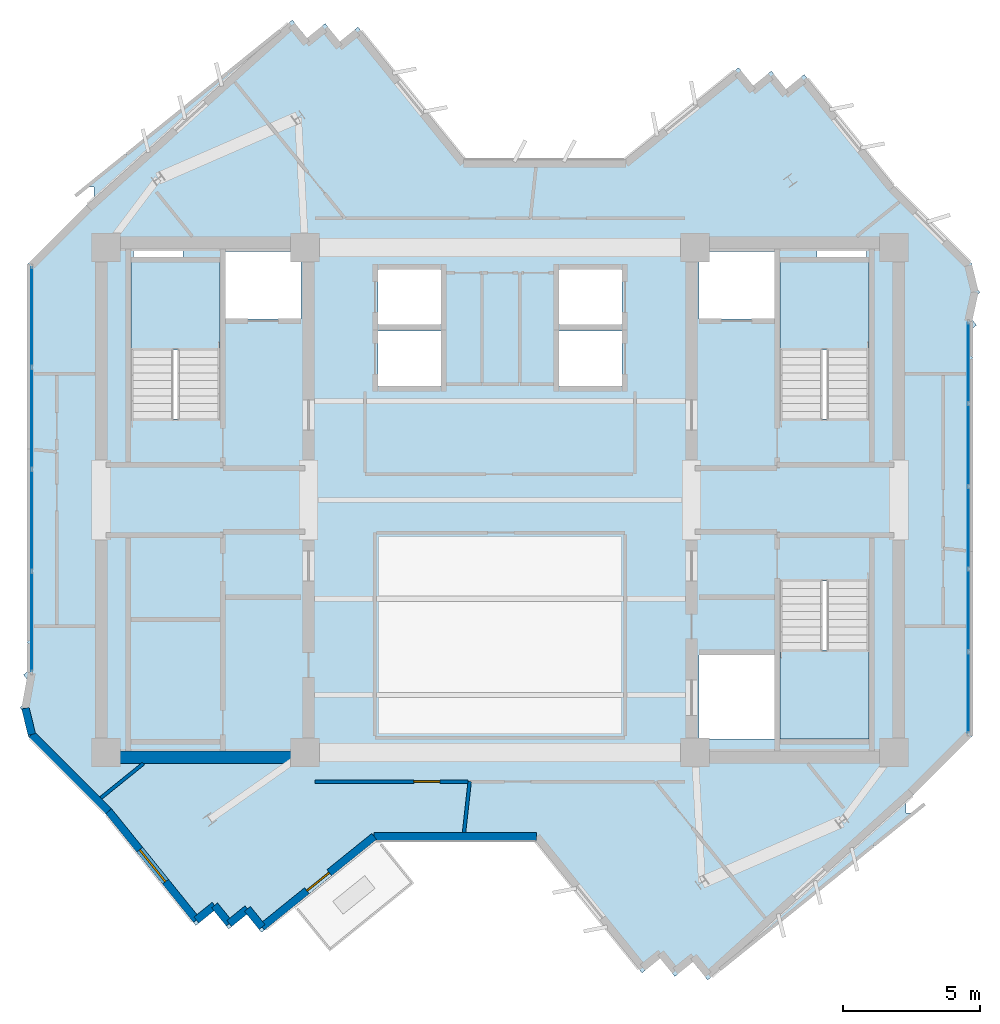
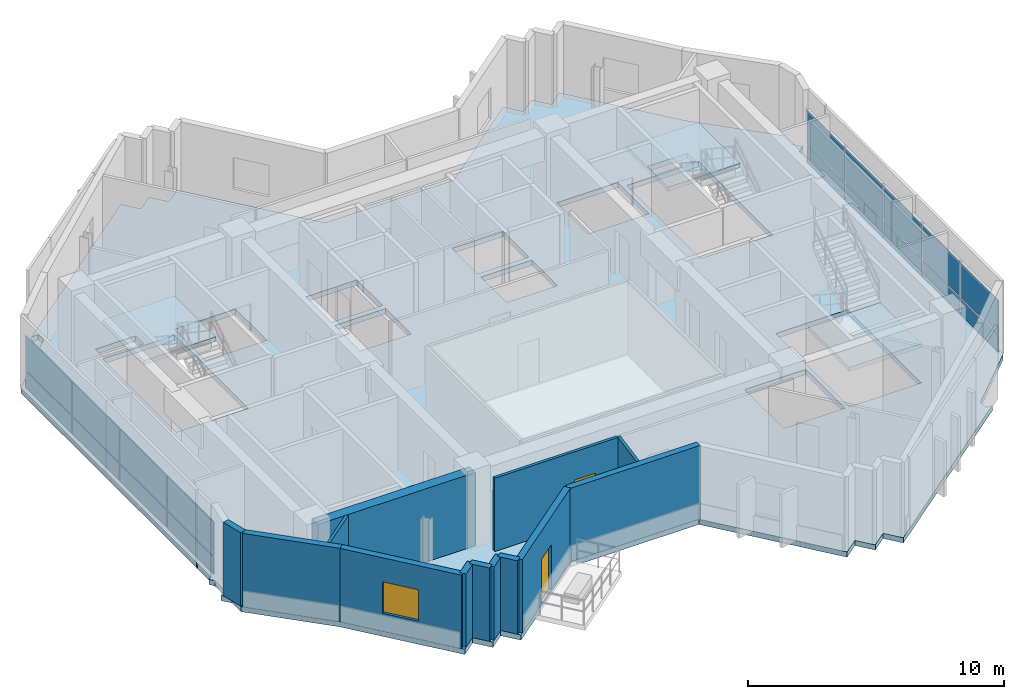
# One storey, part 5 of 11: 18 plates, 13 walls, 4 slabs, 2 doors, 1 window, 3 openings, 5 elements without a shape of their own.
"""IFC4 building model written with IfcOpenShell, lengths in metres."""

from ifc_helpers import new_model, si_unit, direction, frame, frame_2d, origin, origin_2d, place, context, subcontext, project, spatial, polyline, rectangle, outline, extrude, source, transform, mapped, material, layer, layer_set, type_object, element, fill, aggregate, save


model = new_model("IFC4")

# Units and contexts
model_context = context("Model", 3, precision=1e-05, world=origin(), true_north=direction((0.0, 1.0)))
body_context = subcontext(model_context, "Body", "Model", "MODEL_VIEW")
ifc_project = project(units=[si_unit("LENGTHUNIT", "METRE"), si_unit("AREAUNIT", "SQUARE_METRE"), si_unit("VOLUMEUNIT", "CUBIC_METRE"), si_unit("PLANEANGLEUNIT", "RADIAN"), si_unit("MASSUNIT", "GRAM", prefix="KILO")], contexts=[model_context])

# Site, building, storey
site_placement = place(None, origin())
site = spatial("IfcSite", under=ifc_project, at=site_placement, CompositionType="ELEMENT")
building_placement = place(site_placement, origin())
building = spatial("IfcBuilding", under=site, at=building_placement, Name="Zahravan Cultural Tower", CompositionType="ELEMENT")
storey_placement = place(building_placement, frame((0.0, 0.0, 287.85009765625)))
storey = spatial("IfcBuildingStorey", under=building, at=storey_placement, Name="L69", CompositionType="ELEMENT", Elevation=287.85009765625)

# Stair, slab
ifc_material_1 = material(Name="Concrete C45/55", Category="concrete")
stair_type = type_object("IfcStairType", Name="STR-DL-1550-375", PredefinedType="HALF_TURN_STAIR", material=ifc_material_1)
stair_1_placement = place(storey_placement, origin())
stair_1 = element("IfcStair", 1, at=stair_1_placement, inside=storey, type_object=stair_type, Name="L69 West Core North Exit Stair ST-W1", PredefinedType="HALF_TURN_STAIR")
ifc_layer_1 = layer(ifc_material_1, 0.199951171875)
ifc_layer_set_1 = layer_set([ifc_layer_1], Name="Concrete C45/55")
slab_type_1 = type_object("IfcSlabType", Name="SL-STAIR-LND200", PredefinedType="LANDING", material=ifc_layer_set_1)
slab_1_placement = place(storey_placement, frame((0.0, 0.0, 1.6748046875)))
slab_1 = element("IfcSlab", 2, at=slab_1_placement, type_object=slab_type_1, Name="ST-W1 landing 1", PredefinedType="LANDING", context=body_context, shape_type="SweptSolid", body=[
    extrude(outline(polyline([(25.800048828125, 32.469970703125), (25.800048828125, 35.699951171875), (22.550048828125, 35.699951171875), (22.550048828125, 32.469970703125), (25.800048828125, 32.469970703125)])), origin(), (0.0, 0.0, 1.0), 0.2001953125),
])
aggregate(stair_1, [slab_1])

stair_2_placement = place(storey_placement, origin())
stair_2 = element("IfcStair", 3, at=stair_2_placement, inside=storey, type_object=stair_type, Name="L69 East Core North Exit Stair ST-E1", PredefinedType="HALF_TURN_STAIR")
slab_2_placement = place(storey_placement, frame((0.0, 0.0, 1.6748046875)))
slab_2 = element("IfcSlab", 4, at=slab_2_placement, type_object=slab_type_1, Name="ST-E1 landing 1", PredefinedType="LANDING", context=body_context, shape_type="SweptSolid", body=[
    extrude(outline(polyline([(49.449951171875, 32.469970703125), (49.449951171875, 35.699951171875), (46.199951171875, 35.699951171875), (46.199951171875, 32.469970703125), (49.449951171875, 32.469970703125)])), origin(), (0.0, 0.0, 1.0), 0.2001953125),
])
aggregate(stair_2, [slab_2])

stair_3_placement = place(storey_placement, origin())
stair_3 = element("IfcStair", 5, at=stair_3_placement, inside=storey, type_object=stair_type, Name="L69 East Core South Exit Stair ST-E2", PredefinedType="HALF_TURN_STAIR")
slab_3_placement = place(storey_placement, frame((0.0, 0.0, 1.6748046875)))
slab_3 = element("IfcSlab", 6, at=slab_3_placement, type_object=slab_type_1, Name="ST-E2 landing 1", PredefinedType="LANDING", context=body_context, shape_type="SweptSolid", body=[
    extrude(outline(polyline([(46.199951171875, 21.530029296875), (46.199951171875, 18.300048828125), (49.449951171875, 18.300048828125), (49.449951171875, 21.530029296875), (46.199951171875, 21.530029296875)])), origin(), (0.0, 0.0, 1.0), 0.2001953125),
])
aggregate(stair_3, [slab_3])

# Slab
ifc_material_2 = material(Name="Concrete C40/50", Category="concrete")
ifc_layer_2 = layer(ifc_material_2, 0.25)
ifc_layer_set_2 = layer_set([ifc_layer_2], Name="Concrete C40/50")
slab_type_2 = type_object("IfcSlabType", Name="SL-TYP-250", PredefinedType="FLOOR", material=ifc_layer_set_2)
slab_4_placement = place(storey_placement, frame((0.0, 0.0, -0.25)))
element("IfcSlab", 7, at=slab_4_placement, inside=storey, type_object=slab_type_2, Name="L69 Structural Floor Slab", PredefinedType="FLOOR", context=body_context, shape_type="SweptSolid", body=[
    extrude(outline(polyline([(20.892822265625, 38.39990234375), (21.199951171875, 38.39990234375), (21.199951171875, 37.974609375), (20.939697265625, 37.739501953125), (18.800048828125, 35.60009765625), (18.800048828125, 21.852783203125), (18.765869140625, 21.8251953125), (18.800048828125, 21.78271484375), (18.800048828125, 20.76025390625), (18.638427734375, 20.6298828125), (18.800048828125, 20.4296875), (18.800048828125, 19.667724609375), (18.510986328125, 19.4345703125), (18.800048828125, 19.07666015625), (18.800048828125, 18.39990234375), (21.635986328125, 15.56396484375), (24.918701171875, 11.498291015625), (25.579833984375, 12.0322265625), (26.114013671875, 11.370849609375), (26.775146484375, 11.90478515625), (27.30908203125, 11.243408203125), (31.466552734375, 14.60009765625), (37.271728515625, 14.60009765625), (41.1748046875, 9.765869140625), (41.836181640625, 10.2998046875), (42.3701171875, 9.638427734375), (43.031494140625, 10.17236328125), (43.5654296875, 9.510986328125), (51.107177734375, 15.60009765625), (50.800048828125, 15.60009765625), (50.800048828125, 16.025390625), (51.060302734375, 16.260498046875), (53.199951171875, 18.39990234375), (53.199951171875, 32.147216796875), (53.234130859375, 32.1748046875), (53.199951171875, 32.21728515625), (53.199951171875, 33.23974609375), (53.361572265625, 33.3701171875), (53.199951171875, 33.5703125), (53.199951171875, 34.332275390625), (53.489013671875, 34.5654296875), (53.199951171875, 34.92333984375), (53.199951171875, 35.60009765625), (50.364013671875, 38.43603515625), (47.081298828125, 42.501708984375), (46.420166015625, 41.9677734375), (45.885986328125, 42.629150390625), (45.224853515625, 42.09521484375), (44.69091796875, 42.756591796875), (40.533447265625, 39.39990234375), (34.728271484375, 39.39990234375), (30.8251953125, 44.234130859375), (30.163818359375, 43.7001953125), (29.6298828125, 44.361572265625), (28.968505859375, 43.82763671875), (28.4345703125, 44.489013671875), (20.892822265625, 38.39990234375)]), holes=[polyline([(22.550048828125, 29.949951171875), (22.550048828125, 35.699951171875), (25.800048828125, 35.699951171875), (25.800048828125, 29.949951171875), (22.550048828125, 29.949951171875)]), polyline([(46.199951171875, 29.949951171875), (46.199951171875, 35.699951171875), (49.449951171875, 35.699951171875), (49.449951171875, 29.949951171875), (46.199951171875, 29.949951171875)]), polyline([(46.199951171875, 18.300048828125), (46.199951171875, 24.050048828125), (49.449951171875, 24.050048828125), (49.449951171875, 18.300048828125), (46.199951171875, 18.300048828125)]), polyline([(26.0, 33.60009765625), (26.0, 36.050048828125), (28.75, 36.050048828125), (28.75, 33.60009765625), (26.0, 33.60009765625)]), polyline([(43.25, 33.60009765625), (43.25, 36.050048828125), (46.0, 36.050048828125), (46.0, 33.60009765625), (43.25, 33.60009765625)]), polyline([(43.25, 18.300048828125), (43.25, 21.35009765625), (46.0, 21.35009765625), (46.0, 18.300048828125), (43.25, 18.300048828125)]), polyline([(31.550048828125, 33.39990234375), (31.550048828125, 35.39990234375), (33.85009765625, 35.39990234375), (33.85009765625, 33.39990234375), (31.550048828125, 33.39990234375)]), polyline([(31.550048828125, 31.14990234375), (31.550048828125, 33.14990234375), (33.85009765625, 33.14990234375), (33.85009765625, 31.14990234375), (31.550048828125, 31.14990234375)]), polyline([(38.14990234375, 33.39990234375), (38.14990234375, 35.39990234375), (40.449951171875, 35.39990234375), (40.449951171875, 33.39990234375), (38.14990234375, 33.39990234375)]), polyline([(38.14990234375, 31.14990234375), (38.14990234375, 33.14990234375), (40.449951171875, 33.14990234375), (40.449951171875, 31.14990234375), (38.14990234375, 31.14990234375)]), polyline([(22.64990234375, 35.800048828125), (22.64990234375, 36.419921875), (24.449951171875, 36.419921875), (24.449951171875, 35.800048828125), (22.64990234375, 35.800048828125)]), polyline([(47.550048828125, 35.800048828125), (47.550048828125, 36.419921875), (49.35009765625, 36.419921875), (49.35009765625, 35.800048828125), (47.550048828125, 35.800048828125)])]), origin(), (0.0, 0.0, 1.0), 0.25),
])

# Curtain wall, plates
ifc_material_3 = material(Name="Anodised bronze-aluminium mullion", Category="aluminium")
ifc_layer_3 = layer(ifc_material_3, 0.179931640625)
ifc_layer_set_3 = layer_set([ifc_layer_3], Name="Anodised bronze-aluminium mullion")
curtain_wall_type_1 = type_object("IfcCurtainWallType", Name="CW-SYS-3", PredefinedType="USERDEFINED", material=ifc_layer_set_3)
curtain_wall_1_placement = place(storey_placement, origin())
curtain_wall_1 = element("IfcCurtainWall", 8, at=curtain_wall_1_placement, inside=storey, type_object=curtain_wall_type_1, Name="L69 Recessed Curtain Wall CW-3.1", ObjectType="RECESSED GLAZING", PredefinedType="USERDEFINED")
ifc_material_4 = material(Name="Low-E solar-control double glazing", Category="glass")
ifc_layer_4 = layer(ifc_material_4, 0.028076171875)
ifc_layer_set_4 = layer_set([ifc_layer_4], Name="Low-E solar-control double glazing")
plate_type_1 = type_object("IfcPlateType", Name="CWP-CW-3", PredefinedType="CURTAIN_PANEL", material=ifc_layer_set_4)
shared_shape_1 = source(origin(), body_context, "Body", "SweptSolid", [
    extrude(rectangle(XDim=3.607177734375, YDim=0.028076171875, at=origin_2d()), origin(), (0.0, 0.0, 1.0), 0.794921875),
])
plate_1_placement = place(storey_placement, frame((18.93994140625, 22.56689453125, 0.06982421875), z_axis=(0.0, 0.0, 1.0), x_axis=(0.0, 1.0, 0.0)))
plate_1 = element("IfcPlate", 9, at=plate_1_placement, type_object=plate_type_1, Name="CW-3 panel 1.1", PredefinedType="CURTAIN_PANEL", context=body_context, shape_type="MappedRepresentation", body=[
    mapped(shared_shape_1, transform((0.0, 0.0, 0.0), x_axis=(1.0, 0.0, 0.0), y_axis=(0.0, 1.0, 0.0), z_axis=(0.0, 0.0, 1.0), scale=1.0)),
])
plate_2_placement = place(storey_placement, frame((18.93994140625, 33.66845703125, 0.06982421875), z_axis=(0.0, 0.0, 1.0), x_axis=(0.0, 1.0, 0.0)))
plate_2 = element("IfcPlate", 10, at=plate_2_placement, type_object=plate_type_1, Name="CW-3 panel 4.1", PredefinedType="CURTAIN_PANEL", context=body_context, shape_type="MappedRepresentation", body=[
    mapped(shared_shape_1, transform((0.0, 0.0, 0.0), x_axis=(1.0, 0.0, 0.0), y_axis=(0.0, 1.0, 0.0), z_axis=(0.0, 0.0, 1.0), scale=1.0)),
])
shared_shape_2 = source(origin(), body_context, "Body", "SweptSolid", [
    extrude(rectangle(XDim=3.607177734375, YDim=0.028076171875, at=origin_2d()), origin(), (0.0, 0.0, 1.0), 1.614990234375),
])
plate_3_placement = place(storey_placement, frame((18.93994140625, 22.56689453125, 0.93505859375), z_axis=(0.0, 0.0, 1.0), x_axis=(0.0, 1.0, 0.0)))
plate_3 = element("IfcPlate", 11, at=plate_3_placement, type_object=plate_type_1, Name="CW-3 panel 1.2", PredefinedType="CURTAIN_PANEL", context=body_context, shape_type="MappedRepresentation", body=[
    mapped(shared_shape_2, transform((0.0, 0.0, 0.0), x_axis=(1.0, 0.0, 0.0), y_axis=(0.0, 1.0, 0.0), z_axis=(0.0, 0.0, 1.0), scale=1.0)),
])
plate_4_placement = place(storey_placement, frame((18.93994140625, 33.66845703125, 0.93505859375), z_axis=(0.0, 0.0, 1.0), x_axis=(0.0, 1.0, 0.0)))
plate_4 = element("IfcPlate", 12, at=plate_4_placement, type_object=plate_type_1, Name="CW-3 panel 4.2", PredefinedType="CURTAIN_PANEL", context=body_context, shape_type="MappedRepresentation", body=[
    mapped(shared_shape_2, transform((0.0, 0.0, 0.0), x_axis=(1.0, 0.0, 0.0), y_axis=(0.0, 1.0, 0.0), z_axis=(0.0, 0.0, 1.0), scale=1.0)),
])
shared_shape_3 = source(origin(), body_context, "Body", "SweptSolid", [
    extrude(rectangle(XDim=3.64208984375, YDim=0.028076171875, at=origin_2d()), origin(), (0.0, 0.0, 1.0), 0.794921875),
])
plate_5_placement = place(storey_placement, frame((18.93994140625, 26.26171875, 0.06982421875), z_axis=(0.0, 0.0, 1.0), x_axis=(0.0, 1.0, 0.0)))
plate_5 = element("IfcPlate", 13, at=plate_5_placement, type_object=plate_type_1, Name="CW-3 panel 2.1", PredefinedType="CURTAIN_PANEL", context=body_context, shape_type="MappedRepresentation", body=[
    mapped(shared_shape_3, transform((0.0, 0.0, 0.0), x_axis=(1.0, 0.0, 0.0), y_axis=(0.0, 1.0, 0.0), z_axis=(0.0, 0.0, 1.0), scale=1.0)),
])
plate_6_placement = place(storey_placement, frame((18.93994140625, 29.973876953125, 0.06982421875), z_axis=(0.0, 0.0, 1.0), x_axis=(0.0, 1.0, 0.0)))
plate_6 = element("IfcPlate", 14, at=plate_6_placement, type_object=plate_type_1, Name="CW-3 panel 3.1", PredefinedType="CURTAIN_PANEL", context=body_context, shape_type="MappedRepresentation", body=[
    mapped(shared_shape_3, transform((0.0, 0.0, 0.0), x_axis=(1.0, 0.0, 0.0), y_axis=(0.0, 1.0, 0.0), z_axis=(0.0, 0.0, 1.0), scale=1.0)),
])
shared_shape_4 = source(origin(), body_context, "Body", "SweptSolid", [
    extrude(rectangle(XDim=3.64208984375, YDim=0.028076171875, at=origin_2d()), origin(), (0.0, 0.0, 1.0), 1.614990234375),
])
plate_7_placement = place(storey_placement, frame((18.93994140625, 26.26171875, 0.93505859375), z_axis=(0.0, 0.0, 1.0), x_axis=(0.0, 1.0, 0.0)))
plate_7 = element("IfcPlate", 15, at=plate_7_placement, type_object=plate_type_1, Name="CW-3 panel 2.2", PredefinedType="CURTAIN_PANEL", context=body_context, shape_type="MappedRepresentation", body=[
    mapped(shared_shape_4, transform((0.0, 0.0, 0.0), x_axis=(1.0, 0.0, 0.0), y_axis=(0.0, 1.0, 0.0), z_axis=(0.0, 0.0, 1.0), scale=1.0)),
])
plate_8_placement = place(storey_placement, frame((18.93994140625, 29.973876953125, 0.93505859375), z_axis=(0.0, 0.0, 1.0), x_axis=(0.0, 1.0, 0.0)))
plate_8 = element("IfcPlate", 16, at=plate_8_placement, type_object=plate_type_1, Name="CW-3 panel 3.2", PredefinedType="CURTAIN_PANEL", context=body_context, shape_type="MappedRepresentation", body=[
    mapped(shared_shape_4, transform((0.0, 0.0, 0.0), x_axis=(1.0, 0.0, 0.0), y_axis=(0.0, 1.0, 0.0), z_axis=(0.0, 0.0, 1.0), scale=1.0)),
])
aggregate(curtain_wall_1, [plate_1, plate_3, plate_5, plate_7, plate_6, plate_8, plate_2, plate_4])

ifc_layer_5 = layer(ifc_material_3, 0.1650390625)
ifc_layer_set_5 = layer_set([ifc_layer_5], Name="Anodised bronze-aluminium mullion")
curtain_wall_type_2 = type_object("IfcCurtainWallType", Name="CW-SYS-4", PredefinedType="USERDEFINED", material=ifc_layer_set_5)
curtain_wall_2_placement = place(storey_placement, origin())
curtain_wall_2 = element("IfcCurtainWall", 17, at=curtain_wall_2_placement, inside=storey, type_object=curtain_wall_type_2, Name="L69 Recessed Curtain Wall CW-4.2", ObjectType="RECESSED GLAZING", PredefinedType="USERDEFINED")
ifc_layer_6 = layer(ifc_material_4, 0.02587890625)
ifc_layer_set_6 = layer_set([ifc_layer_6], Name="Low-E solar-control double glazing")
plate_type_2 = type_object("IfcPlateType", Name="CWP-CW-4", PredefinedType="CURTAIN_PANEL", material=ifc_layer_set_6)
shared_shape_5 = source(origin(), body_context, "Body", "SweptSolid", [
    extrude(rectangle(XDim=2.9150390625, YDim=0.02587890625, at=origin_2d()), origin(), (0.0, 0.0, 1.0), 0.802490234375),
])
plate_9_placement = place(storey_placement, frame((53.06005859375, 31.998291015625, 0.06494140625), z_axis=(0.0, 0.0, 1.0), x_axis=(0.0, -1.0, 0.0)))
plate_9 = element("IfcPlate", 18, at=plate_9_placement, type_object=plate_type_2, Name="CW-4 panel 1.1", PredefinedType="CURTAIN_PANEL", context=body_context, shape_type="MappedRepresentation", body=[
    mapped(shared_shape_5, transform((0.0, 0.0, 0.0), x_axis=(1.0, 0.0, 0.0), y_axis=(0.0, 1.0, 0.0), z_axis=(0.0, 0.0, 1.0), scale=1.0)),
])
plate_10_placement = place(storey_placement, frame((53.06005859375, 19.98046875, 0.06494140625), z_axis=(0.0, 0.0, 1.0), x_axis=(0.0, -1.0, 0.0)))
plate_10 = element("IfcPlate", 19, at=plate_10_placement, type_object=plate_type_2, Name="CW-4 panel 5.1", PredefinedType="CURTAIN_PANEL", context=body_context, shape_type="MappedRepresentation", body=[
    mapped(shared_shape_5, transform((0.0, 0.0, 0.0), x_axis=(1.0, 0.0, 0.0), y_axis=(0.0, 1.0, 0.0), z_axis=(0.0, 0.0, 1.0), scale=1.0)),
])
shared_shape_6 = source(origin(), body_context, "Body", "SweptSolid", [
    extrude(rectangle(XDim=2.9150390625, YDim=0.02587890625, at=origin_2d()), origin(), (0.0, 0.0, 1.0), 1.62255859375),
])
plate_11_placement = place(storey_placement, frame((53.06005859375, 31.998291015625, 0.932373046875), z_axis=(0.0, 0.0, 1.0), x_axis=(0.0, -1.0, 0.0)))
plate_11 = element("IfcPlate", 20, at=plate_11_placement, type_object=plate_type_2, Name="CW-4 panel 1.2", PredefinedType="CURTAIN_PANEL", context=body_context, shape_type="MappedRepresentation", body=[
    mapped(shared_shape_6, transform((0.0, 0.0, 0.0), x_axis=(1.0, 0.0, 0.0), y_axis=(0.0, 1.0, 0.0), z_axis=(0.0, 0.0, 1.0), scale=1.0)),
])
plate_12_placement = place(storey_placement, frame((53.06005859375, 19.98046875, 0.932373046875), z_axis=(0.0, 0.0, 1.0), x_axis=(0.0, -1.0, 0.0)))
plate_12 = element("IfcPlate", 21, at=plate_12_placement, type_object=plate_type_2, Name="CW-4 panel 5.2", PredefinedType="CURTAIN_PANEL", context=body_context, shape_type="MappedRepresentation", body=[
    mapped(shared_shape_6, transform((0.0, 0.0, 0.0), x_axis=(1.0, 0.0, 0.0), y_axis=(0.0, 1.0, 0.0), z_axis=(0.0, 0.0, 1.0), scale=1.0)),
])
shared_shape_7 = source(origin(), body_context, "Body", "SweptSolid", [
    extrude(rectangle(XDim=2.947509765625, YDim=0.02587890625, at=origin_2d()), origin(), (0.0, 0.0, 1.0), 0.802490234375),
])
plate_13_placement = place(storey_placement, frame((53.06005859375, 29.001953125, 0.06494140625), z_axis=(0.0, 0.0, 1.0), x_axis=(0.0, -1.0, 0.0)))
plate_13 = element("IfcPlate", 22, at=plate_13_placement, type_object=plate_type_2, Name="CW-4 panel 2.1", PredefinedType="CURTAIN_PANEL", context=body_context, shape_type="MappedRepresentation", body=[
    mapped(shared_shape_7, transform((0.0, 0.0, 0.0), x_axis=(1.0, 0.0, 0.0), y_axis=(0.0, 1.0, 0.0), z_axis=(0.0, 0.0, 1.0), scale=1.0)),
])
plate_14_placement = place(storey_placement, frame((53.06005859375, 25.989501953125, 0.06494140625), z_axis=(0.0, 0.0, 1.0), x_axis=(0.0, -1.0, 0.0)))
plate_14 = element("IfcPlate", 23, at=plate_14_placement, type_object=plate_type_2, Name="CW-4 panel 3.1", PredefinedType="CURTAIN_PANEL", context=body_context, shape_type="MappedRepresentation", body=[
    mapped(shared_shape_7, transform((0.0, 0.0, 0.0), x_axis=(1.0, 0.0, 0.0), y_axis=(0.0, 1.0, 0.0), z_axis=(0.0, 0.0, 1.0), scale=1.0)),
])
plate_15_placement = place(storey_placement, frame((53.06005859375, 22.976806640625, 0.06494140625), z_axis=(0.0, 0.0, 1.0), x_axis=(0.0, -1.0, 0.0)))
plate_15 = element("IfcPlate", 24, at=plate_15_placement, type_object=plate_type_2, Name="CW-4 panel 4.1", PredefinedType="CURTAIN_PANEL", context=body_context, shape_type="MappedRepresentation", body=[
    mapped(shared_shape_7, transform((0.0, 0.0, 0.0), x_axis=(1.0, 0.0, 0.0), y_axis=(0.0, 1.0, 0.0), z_axis=(0.0, 0.0, 1.0), scale=1.0)),
])
shared_shape_8 = source(origin(), body_context, "Body", "SweptSolid", [
    extrude(rectangle(XDim=2.947509765625, YDim=0.02587890625, at=origin_2d()), origin(), (0.0, 0.0, 1.0), 1.62255859375),
])
plate_16_placement = place(storey_placement, frame((53.06005859375, 29.001953125, 0.932373046875), z_axis=(0.0, 0.0, 1.0), x_axis=(0.0, -1.0, 0.0)))
plate_16 = element("IfcPlate", 25, at=plate_16_placement, type_object=plate_type_2, Name="CW-4 panel 2.2", PredefinedType="CURTAIN_PANEL", context=body_context, shape_type="MappedRepresentation", body=[
    mapped(shared_shape_8, transform((0.0, 0.0, 0.0), x_axis=(1.0, 0.0, 0.0), y_axis=(0.0, 1.0, 0.0), z_axis=(0.0, 0.0, 1.0), scale=1.0)),
])
plate_17_placement = place(storey_placement, frame((53.06005859375, 25.989501953125, 0.932373046875), z_axis=(0.0, 0.0, 1.0), x_axis=(0.0, -1.0, 0.0)))
plate_17 = element("IfcPlate", 26, at=plate_17_placement, type_object=plate_type_2, Name="CW-4 panel 3.2", PredefinedType="CURTAIN_PANEL", context=body_context, shape_type="MappedRepresentation", body=[
    mapped(shared_shape_8, transform((0.0, 0.0, 0.0), x_axis=(1.0, 0.0, 0.0), y_axis=(0.0, 1.0, 0.0), z_axis=(0.0, 0.0, 1.0), scale=1.0)),
])
plate_18_placement = place(storey_placement, frame((53.06005859375, 22.976806640625, 0.932373046875), z_axis=(0.0, 0.0, 1.0), x_axis=(0.0, -1.0, 0.0)))
plate_18 = element("IfcPlate", 27, at=plate_18_placement, type_object=plate_type_2, Name="CW-4 panel 4.2", PredefinedType="CURTAIN_PANEL", context=body_context, shape_type="MappedRepresentation", body=[
    mapped(shared_shape_8, transform((0.0, 0.0, 0.0), x_axis=(1.0, 0.0, 0.0), y_axis=(0.0, 1.0, 0.0), z_axis=(0.0, 0.0, 1.0), scale=1.0)),
])
aggregate(curtain_wall_2, [plate_9, plate_11, plate_13, plate_16, plate_14, plate_17, plate_15, plate_18, plate_10, plate_12])

# Wall, opening, door
ifc_material_5 = material(Name="Precast concrete C40/50", Category="concrete")
ifc_layer_7 = layer(ifc_material_5, 0.280029296875)
ifc_layer_set_7 = layer_set([ifc_layer_7], Name="Precast concrete C40/50")
wall_type_1 = type_object("IfcWallType", Name="EW-TC-280", PredefinedType="SOLIDWALL", material=ifc_layer_set_7)
wall_1_placement = place(storey_placement, frame((31.4169921875, 14.739990234375, 0.0), z_axis=(0.0, 0.0, 1.0), x_axis=(-0.778072238875, -0.628174809342, 0.0)))
wall_1 = element("IfcWall", 28, at=wall_1_placement, inside=storey, type_object=wall_type_1, Name="L69 Exterior Masonry Frame Wall 26", PredefinedType="SOLIDWALL", context=body_context, shape_type="SweptSolid", body=[
    extrude(rectangle(XDim=5.252685546875, YDim=0.280029296875, at=frame_2d((2.62646484375, 0.0))), origin(), (0.0, 0.0, 1.0), 3.5),
])
opening_1_placement = place(wall_1_placement, frame((2.10107421875, 0.0, 0.0)))
opening_1 = element("IfcOpeningElement", 29, at=opening_1_placement, cuts=wall_1, Name="Opening D-L69-TR-SW", PredefinedType="OPENING", context=body_context, shape_type="SweptSolid", body=[
    extrude(rectangle(XDim=1.050048828125, YDim=2.14990234375, at=frame_2d((0.52490234375, 1.074951171875))), frame((0.0, 0.14990234375, 0.0), z_axis=(0.0, -1.0, 0.0), x_axis=(1.0, 0.0, 0.0)), (0.0, 0.0, 1.0), 0.300048828125),
])
door_type_1 = type_object("IfcDoorType", Name="DR-TERR-1050", OperationType="NOTDEFINED", PredefinedType="DOOR", material=ifc_material_3)
shared_shape_9 = source(origin(), body_context, "Body", "SweptSolid", [
    extrude(rectangle(XDim=1.050048828125, YDim=2.14990234375, at=frame_2d((0.52490234375, 1.074951171875))), frame((0.0, 0.02490234375, 0.0), z_axis=(0.0, -1.0, 0.0), x_axis=(1.0, 0.0, 0.0)), (0.0, 0.0, 1.0), 0.050048828125),
])
door_1_placement = place(opening_1_placement, origin())
door_1 = element("IfcDoor", 30, at=door_1_placement, inside=storey, type_object=door_type_1, Name="L69 Terrace Access Door SW", OperationType="SINGLE_SWING_RIGHT", OverallHeight=2.14990234375, OverallWidth=1.050048828125, PredefinedType="DOOR", context=body_context, shape_type="MappedRepresentation", body=[
    mapped(shared_shape_9, transform((0.0, 0.0, 0.0), x_axis=(1.0, 0.0, 0.0), y_axis=(0.0, 1.0, 0.0), z_axis=(0.0, 0.0, 1.0), scale=1.0)),
])
fill(opening_1, door_1)

# Wall, opening, window
wall_2_placement = place(storey_placement, frame((24.939697265625, 11.6953125, 0.0), z_axis=(0.0, 0.0, 1.0), x_axis=(-0.628225517447, 0.778031297075, 0.0)))
wall_2 = element("IfcWall", 31, at=wall_2_placement, inside=storey, type_object=wall_type_1, Name="L69 Exterior Masonry Frame Wall 31", PredefinedType="SOLIDWALL", context=body_context, shape_type="SweptSolid", body=[
    extrude(rectangle(XDim=5.0927734375, YDim=0.280029296875, at=frame_2d((2.54638671875, 0.0))), origin(), (0.0, 0.0, 1.0), 3.5),
])
opening_2_placement = place(wall_2_placement, frame((1.7958984375, 0.0, 0.85009765625)))
opening_2 = element("IfcOpeningElement", 32, at=opening_2_placement, cuts=wall_2, Name="Opening WN-03", PredefinedType="OPENING", context=body_context, shape_type="SweptSolid", body=[
    extrude(rectangle(XDim=1.5, YDim=1.5, at=frame_2d((0.75, 0.75))), frame((0.0, 0.14990234375, 0.0), z_axis=(0.0, -1.0, 0.0), x_axis=(1.0, 0.0, 0.0)), (0.0, 0.0, 1.0), 0.300048828125),
])
window_type = type_object("IfcWindowType", Name="WN-REC-1500X1500", PartitioningType="SINGLE_PANEL", PredefinedType="WINDOW", material=ifc_material_4)
shared_shape_10 = source(origin(), body_context, "Body", "SweptSolid", [
    extrude(rectangle(XDim=1.5, YDim=1.5, at=frame_2d((0.75, 0.75))), frame((0.0, 0.030029296875, 0.0), z_axis=(0.0, -1.0, 0.0), x_axis=(1.0, 0.0, 0.0)), (0.0, 0.0, 1.0), 0.06005859375),
])
window_placement = place(opening_2_placement, origin())
window = element("IfcWindow", 33, at=window_placement, inside=storey, type_object=window_type, Name="L69 Recessed Solar Window 08", OverallHeight=1.5, OverallWidth=1.5, PartitioningType="SINGLE_PANEL", PredefinedType="WINDOW", context=body_context, shape_type="MappedRepresentation", body=[
    mapped(shared_shape_10, transform((0.0, 0.0, 0.0), x_axis=(1.0, 0.0, 0.0), y_axis=(0.0, 1.0, 0.0), z_axis=(0.0, 0.0, 1.0), scale=1.0)),
])
fill(opening_2, window)

# Wall, opening, door
ifc_material_6 = material(Name="Gypsum plasterboard partition")
ifc_layer_8 = layer(ifc_material_6, 0.125)
ifc_layer_set_8 = layer_set([ifc_layer_8], Name="Gypsum plasterboard partition")
wall_type_2 = type_object("IfcWallType", Name="W-PART-125", PredefinedType="PARTITIONING", material=ifc_layer_set_8)
wall_3_placement = place(storey_placement, frame((29.257568359375, 16.740234375, 0.0), z_axis=(0.0, 0.0, 1.0), x_axis=(0.99999999904, -4.382505e-05, 0.0)))
wall_3 = element("IfcWall", 34, at=wall_3_placement, inside=storey, type_object=wall_type_2, Name="L69 Interior Wall 087", PredefinedType="PARTITIONING", context=body_context, shape_type="SweptSolid", body=[
    extrude(rectangle(XDim=5.57080078125, YDim=0.125, at=frame_2d((2.785400390625, 0.0))), origin(), (0.0, 0.0, 1.0), 3.5),
])
opening_3_placement = place(wall_3_placement, frame((3.604248046875, 0.0, 0.0)))
opening_3 = element("IfcOpeningElement", 35, at=opening_3_placement, cuts=wall_3, Name="Opening D-L69-22", PredefinedType="OPENING", context=body_context, shape_type="SweptSolid", body=[
    extrude(rectangle(XDim=0.949951171875, YDim=2.14990234375, at=frame_2d((0.47509765625, 1.074951171875))), frame((0.0, 0.072509765625, 0.0), z_axis=(0.0, -1.0, 0.0), x_axis=(1.0, 0.0, 0.0)), (0.0, 0.0, 1.0), 0.14501953125),
])
door_type_2 = type_object("IfcDoorType", Name="DR-ROOM-950", OperationType="NOTDEFINED", PredefinedType="DOOR", material=ifc_material_3)
shared_shape_11 = source(origin(), body_context, "Body", "SweptSolid", [
    extrude(rectangle(XDim=0.949951171875, YDim=2.14990234375, at=frame_2d((0.47509765625, 1.074951171875))), frame((0.0, 0.02490234375, 0.0), z_axis=(0.0, -1.0, 0.0), x_axis=(1.0, 0.0, 0.0)), (0.0, 0.0, 1.0), 0.050048828125),
])
door_2_placement = place(opening_3_placement, origin())
door_2 = element("IfcDoor", 36, at=door_2_placement, inside=storey, type_object=door_type_2, Name="L69 Door D-L69-22", OperationType="SINGLE_SWING_LEFT", OverallHeight=2.14990234375, OverallWidth=0.949951171875, PredefinedType="DOOR", context=body_context, shape_type="MappedRepresentation", body=[
    mapped(shared_shape_11, transform((0.0, 0.0, 0.0), x_axis=(1.0, 0.0, 0.0), y_axis=(0.0, 1.0, 0.0), z_axis=(0.0, 0.0, 1.0), scale=1.0)),
])
fill(opening_3, door_2)

# Walls
ifc_material_7 = material(Name="Concrete C50/60", Category="concrete")
ifc_layer_9 = layer(ifc_material_7, 0.449951171875)
ifc_layer_set_9 = layer_set([ifc_layer_9], Name="Concrete C50/60")
wall_type_3 = type_object("IfcWallType", Name="CW-SHEAR-450-C50", PredefinedType="SHEAR", material=ifc_layer_set_9)
shared_shape_12 = source(origin(), body_context, "Body", "SweptSolid", [
    extrude(rectangle(XDim=7.10009765625, YDim=0.449951171875, at=frame_2d((3.550048828125, 0.0))), origin(), (0.0, 0.0, 1.0), 3.5),
])
wall_4_placement = place(storey_placement, frame((21.699951171875, 17.625, 0.0), z_axis=(0.0, 0.0, 1.0), x_axis=(1.0, 0.0, 0.0)))
element("IfcWall", 37, at=wall_4_placement, inside=storey, type_object=wall_type_3, Name="L69 Core Shear Wall CW-W-S-L69", PredefinedType="SHEAR", context=body_context, shape_type="MappedRepresentation", body=[
    mapped(shared_shape_12, transform((0.0, 0.0, 0.0), x_axis=(1.0, 0.0, 0.0), y_axis=(0.0, 1.0, 0.0), z_axis=(0.0, 0.0, 1.0), scale=1.0)),
])
shared_shape_13 = source(origin(), body_context, "Body", "SweptSolid", [
    extrude(rectangle(XDim=0.85009765625, YDim=0.280029296875, at=frame_2d((0.425048828125, 0.0))), origin(), (0.0, 0.0, 1.0), 3.5),
])
for number, where, z_axis, x_axis, name in (
    (38, (27.330078125, 11.4404296875, 0.0), (0.0, 0.0, 1.0), (-0.628156579423, 0.778086956405, 0.0), "L69 Exterior Masonry Frame Wall 27"),
    (39, (26.135009765625, 11.56787109375, 0.0), (0.0, 0.0, 1.0), (-0.628330422687, 0.777946579095, 0.0), "L69 Exterior Masonry Frame Wall 29"),
):
    element("IfcWall", number, at=place(storey_placement, frame(where, z_axis=z_axis, x_axis=x_axis)), inside=storey, type_object=wall_type_1, Name=name, PredefinedType="SOLIDWALL", context=body_context, shape_type="MappedRepresentation", body=[
        mapped(shared_shape_13, transform((0.0, 0.0, 0.0), x_axis=(1.0, 0.0, 0.0), y_axis=(0.0, 1.0, 0.0), z_axis=(0.0, 0.0, 1.0), scale=1.0)),
    ])
shared_shape_14 = source(origin(), body_context, "Body", "SweptSolid", [
    extrude(rectangle(XDim=0.849853515625, YDim=0.280029296875, at=frame_2d((0.4248046875, 0.0))), origin(), (0.0, 0.0, 1.0), 3.5),
])
for number, where, z_axis, x_axis, name in (
    (40, (26.796142578125, 12.101806640625, 0.0), (0.0, 0.0, 1.0), (-0.777973585776, -0.628296983786, 0.0), "L69 Exterior Masonry Frame Wall 28"),
    (41, (25.600830078125, 12.229248046875, 0.0), (0.0, 0.0, 1.0), (-0.777973585776, -0.628296983786, 0.0), "L69 Exterior Masonry Frame Wall 30"),
):
    element("IfcWall", number, at=place(storey_placement, frame(where, z_axis=z_axis, x_axis=x_axis)), inside=storey, type_object=wall_type_1, Name=name, PredefinedType="SOLIDWALL", context=body_context, shape_type="MappedRepresentation", body=[
        mapped(shared_shape_14, transform((0.0, 0.0, 0.0), x_axis=(1.0, 0.0, 0.0), y_axis=(0.0, 1.0, 0.0), z_axis=(0.0, 0.0, 1.0), scale=1.0)),
    ])
shared_shape_15 = source(origin(), body_context, "Body", "SweptSolid", [
    extrude(rectangle(XDim=5.921630859375, YDim=0.280029296875, at=frame_2d((2.9609375, 0.0))), origin(), (0.0, 0.0, 1.0), 3.5),
])
wall_5_placement = place(storey_placement, frame((37.338623046875, 14.739990234375, 0.0), z_axis=(0.0, 0.0, 1.0), x_axis=(-1.0, 0.0, 0.0)))
element("IfcWall", 42, at=wall_5_placement, inside=storey, type_object=wall_type_1, Name="L69 Exterior Masonry Frame Wall 25", PredefinedType="SOLIDWALL", context=body_context, shape_type="MappedRepresentation", body=[
    mapped(shared_shape_15, transform((0.0, 0.0, 0.0), x_axis=(1.0, 0.0, 0.0), y_axis=(0.0, 1.0, 0.0), z_axis=(0.0, 0.0, 1.0), scale=1.0)),
])
shared_shape_16 = source(origin(), body_context, "Body", "SweptSolid", [
    extrude(rectangle(XDim=0.9833984375, YDim=0.280029296875, at=frame_2d((0.49169921875, 0.0))), origin(), (0.0, 0.0, 1.0), 3.5),
])
wall_6_placement = place(storey_placement, frame((18.93994140625, 18.4580078125, 0.0), z_axis=(0.0, 0.0, 1.0), x_axis=(-0.235870049888, 0.971784605541, 0.0)))
element("IfcWall", 43, at=wall_6_placement, inside=storey, type_object=wall_type_1, Name="L69 Exterior Masonry Frame Wall 33", PredefinedType="SOLIDWALL", context=body_context, shape_type="MappedRepresentation", body=[
    mapped(shared_shape_16, transform((0.0, 0.0, 0.0), x_axis=(1.0, 0.0, 0.0), y_axis=(0.0, 1.0, 0.0), z_axis=(0.0, 0.0, 1.0), scale=1.0)),
])
shared_shape_17 = source(origin(), body_context, "Body", "SweptSolid", [
    extrude(rectangle(XDim=3.960205078125, YDim=0.280029296875, at=frame_2d((1.97998046875, 0.0))), origin(), (0.0, 0.0, 1.0), 3.5),
])
wall_7_placement = place(storey_placement, frame((21.740234375, 15.65771484375, 0.0), z_axis=(0.0, 0.0, 1.0), x_axis=(-0.707106781187, 0.707106781187, 0.0)))
element("IfcWall", 44, at=wall_7_placement, inside=storey, type_object=wall_type_1, Name="L69 Exterior Masonry Frame Wall 32", PredefinedType="SOLIDWALL", context=body_context, shape_type="MappedRepresentation", body=[
    mapped(shared_shape_17, transform((0.0, 0.0, 0.0), x_axis=(1.0, 0.0, 0.0), y_axis=(0.0, 1.0, 0.0), z_axis=(0.0, 0.0, 1.0), scale=1.0)),
])
shared_shape_18 = source(origin(), body_context, "Body", "SweptSolid", [
    extrude(rectangle(XDim=1.989013671875, YDim=0.125, at=frame_2d((0.99462890625, 0.0))), origin(), (0.0, 0.0, 1.0), 3.5),
])
wall_8_placement = place(storey_placement, frame((23.005126953125, 17.39501953125, 0.0), z_axis=(0.0, 0.0, 1.0), x_axis=(-0.778058853423, -0.628191388519, 0.0)))
element("IfcWall", 45, at=wall_8_placement, inside=storey, type_object=wall_type_2, Name="L69 Interior Wall 051", PredefinedType="PARTITIONING", context=body_context, shape_type="MappedRepresentation", body=[
    mapped(shared_shape_18, transform((0.0, 0.0, 0.0), x_axis=(1.0, 0.0, 0.0), y_axis=(0.0, 1.0, 0.0), z_axis=(0.0, 0.0, 1.0), scale=1.0)),
])
shared_shape_19 = source(origin(), body_context, "Body", "SweptSolid", [
    extrude(rectangle(XDim=1.866455078125, YDim=0.125, at=frame_2d((0.93310546875, 0.0))), origin(), (0.0, 0.0, 1.0), 3.5),
])
wall_9_placement = place(storey_placement, frame((34.689697265625, 14.885009765625, 0.0), z_axis=(0.0, 0.0, 1.0), x_axis=(0.110661229882, 0.993858185156, 0.0)))
element("IfcWall", 46, at=wall_9_placement, inside=storey, type_object=wall_type_2, Name="L69 Interior Wall 085", PredefinedType="PARTITIONING", context=body_context, shape_type="MappedRepresentation", body=[
    mapped(shared_shape_19, transform((0.0, 0.0, 0.0), x_axis=(1.0, 0.0, 0.0), y_axis=(0.0, 1.0, 0.0), z_axis=(0.0, 0.0, 1.0), scale=1.0)),
])

save(model, "model.ifc")
